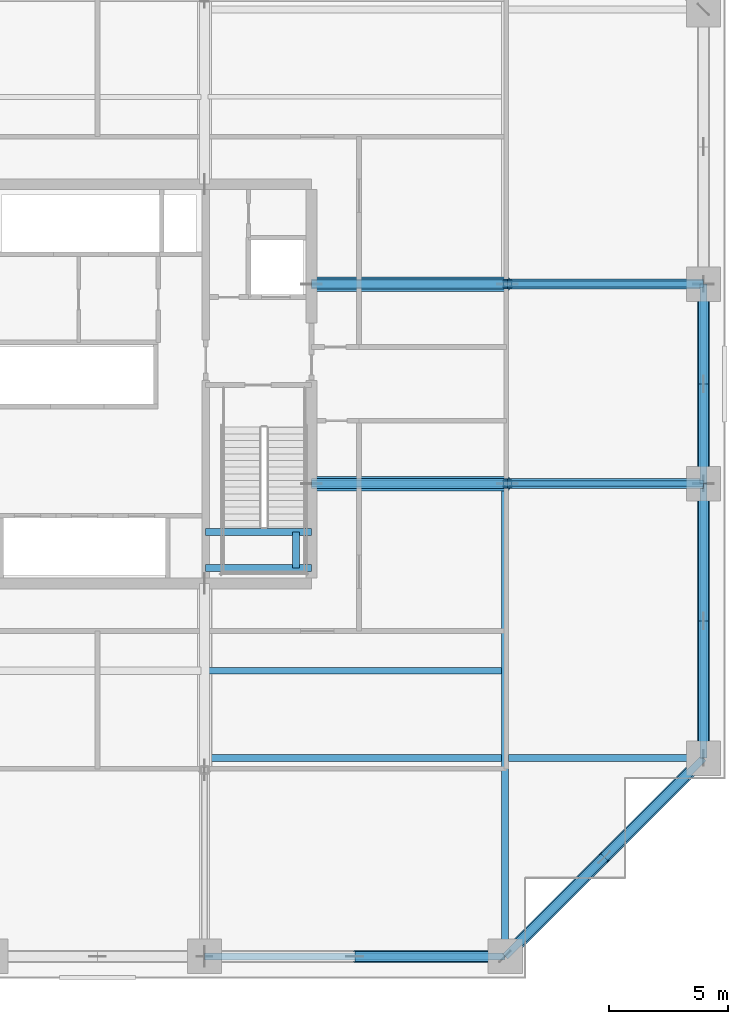
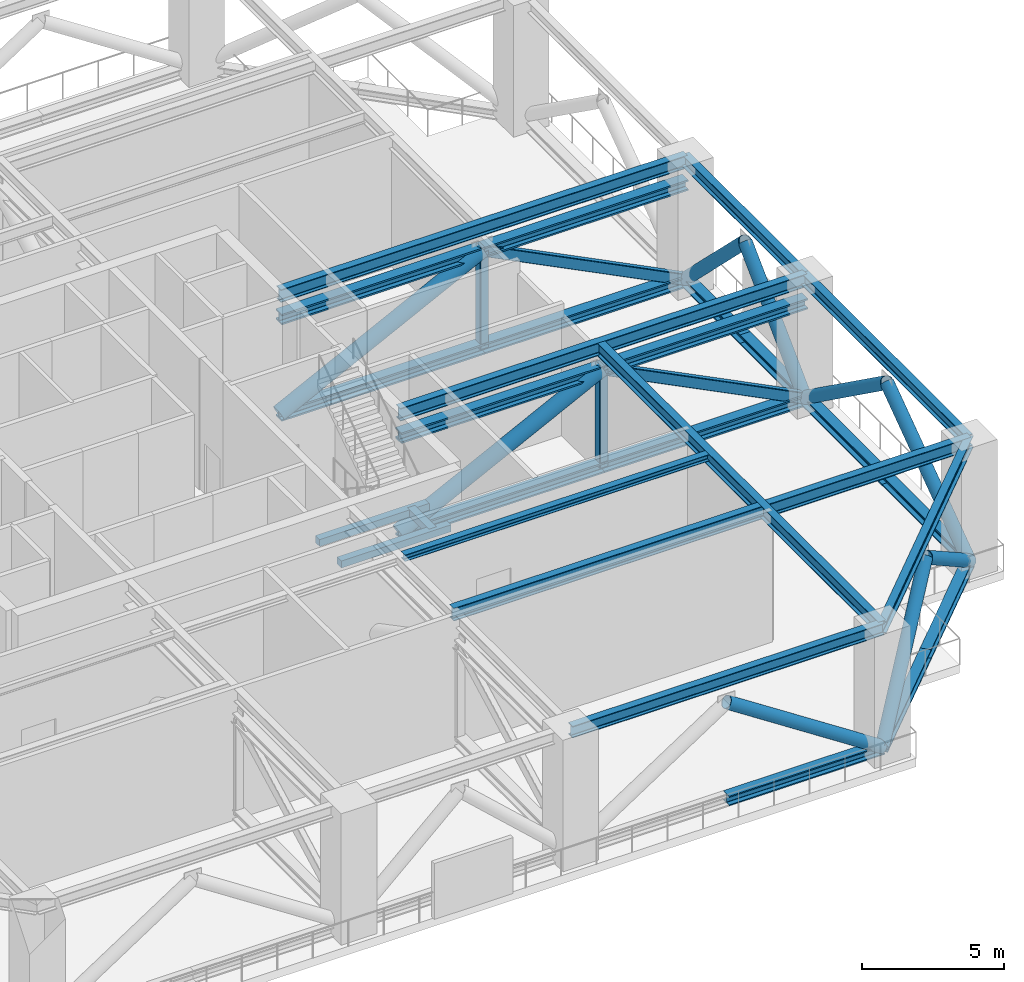
# One storey, part 3 of 21: 28 members, 12 beams.
"""IFC4 building model written with IfcOpenShell, lengths in metres."""

from ifc_helpers import new_model, si_unit, direction, frame, origin, origin_2d, place, context, subcontext, project, spatial, rectangle, hollow_rectangle, hollow_circle, i_section, extrude, source, transform, mapped, material, material_profile, profile_set, type_object, element, save


model = new_model("IFC4")

# Units and contexts
model_context = context("Model", 3, precision=1e-05, world=origin(), true_north=direction((0.0, 1.0)))
body_context = subcontext(model_context, "Body", "Model", "MODEL_VIEW")
ifc_project = project(units=[si_unit("LENGTHUNIT", "METRE"), si_unit("AREAUNIT", "SQUARE_METRE"), si_unit("VOLUMEUNIT", "CUBIC_METRE"), si_unit("PLANEANGLEUNIT", "RADIAN"), si_unit("MASSUNIT", "GRAM", prefix="KILO")], contexts=[model_context])

# Site, building, storey
site_placement = place(None, origin())
site = spatial("IfcSite", under=ifc_project, at=site_placement, CompositionType="ELEMENT")
building_placement = place(site_placement, origin())
building = spatial("IfcBuilding", under=site, at=building_placement, Name="Serunith Strait Residences", CompositionType="ELEMENT")
storey_placement = place(building_placement, frame((0.0, 0.0, 109.199951171875)))
storey = spatial("IfcBuildingStorey", under=building, at=storey_placement, Name="L27", CompositionType="ELEMENT", Elevation=109.199951171875)

# Beams
ifc_material_1 = material(Name="Steel S355J2", Category="steel")
ifc_material_profile_1 = material_profile(ifc_material_1, i_section(OverallWidth=0.300048828125, OverallDepth=0.550048828125, WebThickness=0.014892578125, FlangeThickness=0.029052734375, FilletRadius=0.027099609375, at=origin_2d()), Name="HEB 550")
ifc_profile_set_1 = profile_set([ifc_material_profile_1], Name="Steel S355J2")
beam_type_1 = type_object("IfcBeamType", Name="BM-HEB550", PredefinedType="BEAM", material=ifc_profile_set_1)
shared_shape_1 = source(origin(), body_context, "Body", "SweptSolid", [
    extrude(i_section(OverallWidth=0.300048828125, OverallDepth=0.550048828125, WebThickness=0.014892578125, FlangeThickness=0.029052734375, FilletRadius=0.027099609375, at=origin_2d()), origin(), (0.0, 0.0, 1.0), 16.5),
])
for number, where, z_axis, x_axis, name in (
    (1, (41.39990234375, 21.0, 5.362060546875), (1.0, 0.0, 0.0), (0.0, 1.0, 0.0), "L27 Primary Floor Girder TC-E2"),
    (2, (41.39990234375, 29.39990234375, 5.362060546875), (1.0, 0.0, 0.0), (0.0, 1.0, 0.0), "L27 Primary Floor Girder TC-E3"),
):
    element("IfcBeam", number, at=place(storey_placement, frame(where, z_axis=z_axis, x_axis=x_axis)), inside=storey, type_object=beam_type_1, Name=name, PredefinedType="BEAM", context=body_context, shape_type="MappedRepresentation", body=[
        mapped(shared_shape_1, transform((0.0, 0.0, 0.0), scale=1.0)),
    ])
shared_shape_2 = source(origin(), body_context, "Body", "SweptSolid", [
    extrude(i_section(OverallWidth=0.300048828125, OverallDepth=0.550048828125, WebThickness=0.014892578125, FlangeThickness=0.029052734375, FilletRadius=0.027099609375, at=origin_2d()), origin(), (0.0, 0.0, 1.0), 19.89990234375),
])
beam_1_placement = place(storey_placement, frame((49.550048828125, 21.0, 5.362060546875), z_axis=(0.0, -1.0, 0.0), x_axis=(1.0, 0.0, 0.0)))
element("IfcBeam", 3, at=beam_1_placement, inside=storey, type_object=beam_type_1, Name="L27 Orthogonal Corner Girder TC-S4", PredefinedType="BEAM", context=body_context, shape_type="MappedRepresentation", body=[
    mapped(shared_shape_2, transform((0.0, 0.0, 0.0), scale=1.0)),
])
shared_shape_3 = source(origin(), body_context, "Body", "SweptSolid", [
    extrude(i_section(OverallWidth=0.300048828125, OverallDepth=0.550048828125, WebThickness=0.014892578125, FlangeThickness=0.029052734375, FilletRadius=0.027099609375, at=origin_2d()), origin(), (0.0, 0.0, 1.0), 21.0),
])
beam_2_placement = place(storey_placement, frame((36.89990234375, 9.449951171875, 5.362060546875), z_axis=(1.0, 0.0, 0.0), x_axis=(0.0, 1.0, 0.0)))
element("IfcBeam", 4, at=beam_2_placement, inside=storey, type_object=beam_type_1, Name="L27 Orthogonal Corner Girder TC-E1", PredefinedType="BEAM", context=body_context, shape_type="MappedRepresentation", body=[
    mapped(shared_shape_3, transform((0.0, 0.0, 0.0), scale=1.0)),
])
ifc_material_profile_2 = material_profile(ifc_material_1, i_section(OverallWidth=0.300048828125, OverallDepth=0.5, WebThickness=0.014404296875, FlangeThickness=0.028076171875, FilletRadius=0.027099609375, at=origin_2d()), Name="HEB 500")
ifc_profile_set_2 = profile_set([ifc_material_profile_2], Name="Steel S355J2")
beam_type_2 = type_object("IfcBeamType", Name="BM-HEB500", PredefinedType="BEAM", material=ifc_profile_set_2)
shared_shape_4 = source(origin(), body_context, "Body", "SweptSolid", [
    extrude(i_section(OverallWidth=0.300048828125, OverallDepth=0.5, WebThickness=0.014404296875, FlangeThickness=0.028076171875, FilletRadius=0.027099609375, at=origin_2d()), origin(), (0.0, 0.0, 1.0), 12.650146484375),
])
beam_3_placement = place(storey_placement, frame((36.89990234375, 1.10009765625, 5.386962890625), z_axis=(1.0, 0.0, 0.0), x_axis=(0.0, 1.0, 0.0)))
element("IfcBeam", 5, at=beam_3_placement, inside=storey, type_object=beam_type_2, Name="L27 Perimeter Ring Beam 03", PredefinedType="BEAM", context=body_context, shape_type="MappedRepresentation", body=[
    mapped(shared_shape_4, transform((0.0, 0.0, 0.0), scale=1.0)),
])
shared_shape_5 = source(origin(), body_context, "Body", "SweptSolid", [
    extrude(i_section(OverallWidth=0.300048828125, OverallDepth=0.5, WebThickness=0.014404296875, FlangeThickness=0.028076171875, FilletRadius=0.027099609375, at=origin_2d()), origin(), (0.0, 0.0, 1.0), 11.80859375),
])
beam_4_placement = place(storey_placement, frame((49.550048828125, 1.10009765625, 5.386962890625), z_axis=(0.707106781187, 0.707106781187, 0.0), x_axis=(-0.707106781187, 0.707106781187, 0.0)))
element("IfcBeam", 6, at=beam_4_placement, inside=storey, type_object=beam_type_2, Name="L27 Perimeter Ring Beam 04", PredefinedType="BEAM", context=body_context, shape_type="MappedRepresentation", body=[
    mapped(shared_shape_5, transform((0.0, 0.0, 0.0), scale=1.0)),
])
shared_shape_6 = source(origin(), body_context, "Body", "SweptSolid", [
    extrude(i_section(OverallWidth=0.300048828125, OverallDepth=0.5, WebThickness=0.014404296875, FlangeThickness=0.028076171875, FilletRadius=0.027099609375, at=origin_2d()), origin(), (0.0, 0.0, 1.0), 11.550048828125),
])
beam_5_placement = place(storey_placement, frame((57.89990234375, 9.449951171875, 5.386962890625), z_axis=(0.0, 1.0, 0.0), x_axis=(-1.0, 0.0, 0.0)))
element("IfcBeam", 7, at=beam_5_placement, inside=storey, type_object=beam_type_2, Name="L27 Perimeter Ring Beam 05", PredefinedType="BEAM", context=body_context, shape_type="MappedRepresentation", body=[
    mapped(shared_shape_6, transform((0.0, 0.0, 0.0), scale=1.0)),
])
shared_shape_7 = source(origin(), body_context, "Body", "SweptSolid", [
    extrude(i_section(OverallWidth=0.300048828125, OverallDepth=0.5, WebThickness=0.014404296875, FlangeThickness=0.028076171875, FilletRadius=0.027099609375, at=origin_2d()), origin(), (0.0, 0.0, 1.0), 8.39990234375),
])
beam_6_placement = place(storey_placement, frame((57.89990234375, 21.0, 5.386962890625), z_axis=(0.0, 1.0, 0.0), x_axis=(-1.0, 0.0, 0.0)))
element("IfcBeam", 8, at=beam_6_placement, inside=storey, type_object=beam_type_2, Name="L27 Perimeter Ring Beam 06", PredefinedType="BEAM", context=body_context, shape_type="MappedRepresentation", body=[
    mapped(shared_shape_7, transform((0.0, 0.0, 0.0), scale=1.0)),
])
ifc_material_profile_3 = material_profile(ifc_material_1, i_section(OverallWidth=0.280029296875, OverallDepth=0.280029296875, WebThickness=0.010498046875, FlangeThickness=0.01806640625, FilletRadius=0.02392578125, at=origin_2d()), Name="HEB 280")
ifc_profile_set_3 = profile_set([ifc_material_profile_3], Name="Steel S355J2")
beam_type_3 = type_object("IfcBeamType", Name="BM-HEB280", PredefinedType="JOIST", material=ifc_profile_set_3)
shared_shape_8 = source(origin(), body_context, "Body", "SweptSolid", [
    extrude(i_section(OverallWidth=0.280029296875, OverallDepth=0.280029296875, WebThickness=0.010498046875, FlangeThickness=0.01806640625, FilletRadius=0.02392578125, at=origin_2d()), origin(), (0.0, 0.0, 1.0), 12.349853515625),
])
beam_7_placement = place(storey_placement, frame((37.050048828125, 13.125, 5.4970703125), z_axis=(1.0, 0.0, 0.0), x_axis=(0.0, 1.0, 0.0)))
element("IfcBeam", 9, at=beam_7_placement, inside=storey, type_object=beam_type_3, Name="L27 Composite Floor Joist 03", PredefinedType="JOIST", context=body_context, shape_type="MappedRepresentation", body=[
    mapped(shared_shape_8, transform((0.0, 0.0, 0.0), scale=1.0)),
])

# Members
ifc_material_2 = material(Name="Steel S460M", Category="steel")
ifc_material_profile_4 = material_profile(ifc_material_2, hollow_rectangle(XDim=0.35009765625, YDim=0.35009765625, WallThickness=0.01611328125, InnerFilletRadius=0.02392578125, OuterFilletRadius=0.0400390625, at=origin_2d()), Name="SHS 350x350x16")
ifc_profile_set_4 = profile_set([ifc_material_profile_4], Name="Steel S460M")
member_type_1 = type_object("IfcMemberType", Name="MBR-STRUT-SHS350", PredefinedType="STRUT", material=ifc_profile_set_4)
shared_shape_9 = source(origin(), body_context, "Body", "SweptSolid", [
    extrude(hollow_rectangle(XDim=0.35009765625, YDim=0.35009765625, WallThickness=0.01611328125, InnerFilletRadius=0.02392578125, OuterFilletRadius=0.0400390625, at=origin_2d()), origin(), (0.0, 0.0, 1.0), 4.14013671875),
])
for number, where, z_axis, x_axis, name in (
    (10, (49.64990234375, 21.0, 0.25), (0.0, 0.0, 1.0), (1.0, 0.0, 0.0), "L27 Outrigger Arm 5 Mid Post"),
    (11, (49.64990234375, 29.39990234375, 0.25), (0.0, 0.0, 1.0), (1.0, 0.0, 0.0), "L27 Outrigger Arm 6 Mid Post"),
):
    element("IfcMember", number, at=place(storey_placement, frame(where, z_axis=z_axis, x_axis=x_axis)), inside=storey, type_object=member_type_1, Name=name, PredefinedType="STRUT", context=body_context, shape_type="MappedRepresentation", body=[
        mapped(shared_shape_9, transform((0.0, 0.0, 0.0), scale=1.0)),
    ])
ifc_material_profile_5 = material_profile(ifc_material_2, i_section(OverallWidth=0.41796875, OverallDepth=0.455078125, WebThickness=0.0419921875, FlangeThickness=0.067626953125, FilletRadius=0.014892578125, at=origin_2d()), Name="HD 400x551")
ifc_profile_set_5 = profile_set([ifc_material_profile_5], Name="Steel S460M")
member_type_2 = type_object("IfcMemberType", Name="MBR-CHORD-HD551", PredefinedType="CHORD", material=ifc_profile_set_5)
shared_shape_10 = source(origin(), body_context, "Body", "SweptSolid", [
    extrude(i_section(OverallWidth=0.41796875, OverallDepth=0.455078125, WebThickness=0.0419921875, FlangeThickness=0.067626953125, FilletRadius=0.014892578125, at=origin_2d()), origin(), (0.0, 0.0, 1.0), 8.25),
])
for number, where, z_axis, x_axis, name in (
    (12, (41.39990234375, 21.0, 0.25), (1.0, 0.0, 0.0), (0.0, 1.0, 0.0), "L27 Outrigger Arm 5 Bottom Chord 1"),
    (13, (41.39990234375, 21.0, 4.39013671875), (1.0, 0.0, 0.0), (0.0, 1.0, 0.0), "L27 Outrigger Arm 5 Top Chord 1"),
    (14, (49.64990234375, 21.0, 0.25), (1.0, 0.0, 0.0), (0.0, 1.0, 0.0), "L27 Outrigger Arm 5 Bottom Chord 2"),
    (15, (49.64990234375, 21.0, 4.39013671875), (1.0, 0.0, 0.0), (0.0, 1.0, 0.0), "L27 Outrigger Arm 5 Top Chord 2"),
    (16, (41.39990234375, 29.39990234375, 0.25), (1.0, 0.0, 0.0), (0.0, 1.0, 0.0), "L27 Outrigger Arm 6 Bottom Chord 1"),
    (17, (41.39990234375, 29.39990234375, 4.39013671875), (1.0, 0.0, 0.0), (0.0, 1.0, 0.0), "L27 Outrigger Arm 6 Top Chord 1"),
    (18, (49.64990234375, 29.39990234375, 0.25), (1.0, 0.0, 0.0), (0.0, 1.0, 0.0), "L27 Outrigger Arm 6 Bottom Chord 2"),
    (19, (49.64990234375, 29.39990234375, 4.39013671875), (1.0, 0.0, 0.0), (0.0, 1.0, 0.0), "L27 Outrigger Arm 6 Top Chord 2"),
):
    element("IfcMember", number, at=place(storey_placement, frame(where, z_axis=z_axis, x_axis=x_axis)), inside=storey, type_object=member_type_2, Name=name, PredefinedType="CHORD", context=body_context, shape_type="MappedRepresentation", body=[
        mapped(shared_shape_10, transform((0.0, 0.0, 0.0), scale=1.0)),
    ])
ifc_material_profile_6 = material_profile(ifc_material_2, hollow_circle(Radius=0.304931640625, WallThickness=0.02490234375, at=origin_2d()), Name="CHS 610x25")
ifc_profile_set_6 = profile_set([ifc_material_profile_6], Name="Steel S460M")
member_type_3 = type_object("IfcMemberType", Name="MBR-DIAG-CHS610", PredefinedType="BRACE", material=ifc_profile_set_6)
shared_shape_11 = source(origin(), body_context, "Body", "SweptSolid", [
    extrude(hollow_circle(Radius=0.304931640625, WallThickness=0.02490234375, at=origin_2d()), origin(), (0.0, 0.0, 1.0), 9.23046875),
])
for number, where, z_axis, x_axis, name in (
    (20, (41.39990234375, 21.0, 0.25), (0.893770289547, 0.0, 0.448524993198), (0.0, 1.0, 0.0), "L27 Outrigger Arm 5 Inner Diagonal"),
    (21, (41.39990234375, 29.39990234375, 0.25), (0.893770289547, 0.0, 0.448524993198), (0.0, 1.0, 0.0), "L27 Outrigger Arm 6 Inner Diagonal"),
):
    element("IfcMember", number, at=place(storey_placement, frame(where, z_axis=z_axis, x_axis=x_axis)), inside=storey, type_object=member_type_3, Name=name, PredefinedType="BRACE", context=body_context, shape_type="MappedRepresentation", body=[
        mapped(shared_shape_11, transform((0.0, 0.0, 0.0), scale=1.0)),
    ])
ifc_material_profile_7 = material_profile(ifc_material_2, hollow_rectangle(XDim=0.25, YDim=0.449951171875, WallThickness=0.01611328125, InnerFilletRadius=0.02392578125, OuterFilletRadius=0.0400390625, at=origin_2d()), Name="RHS 450x250x16")
ifc_profile_set_7 = profile_set([ifc_material_profile_7], Name="Steel S460M")
member_type_4 = type_object("IfcMemberType", Name="MBR-BRACE-RHS450", PredefinedType="BRACE", material=ifc_profile_set_7)
shared_shape_12 = source(origin(), body_context, "Body", "SweptSolid", [
    extrude(hollow_rectangle(XDim=0.25, YDim=0.449951171875, WallThickness=0.01611328125, InnerFilletRadius=0.02392578125, OuterFilletRadius=0.0400390625, at=origin_2d()), origin(), (0.0, 0.0, 1.0), 9.23046875),
])
for number, where, z_axis, x_axis, name in (
    (22, (49.64990234375, 21.0, 4.39013671875), (0.893770289547, 0.0, -0.448524993198), (0.0, 1.0, 0.0), "L27 Outrigger Arm 5 Outer Diagonal"),
    (23, (49.64990234375, 29.39990234375, 4.39013671875), (0.893770289547, 0.0, -0.448524993198), (0.0, 1.0, 0.0), "L27 Outrigger Arm 6 Outer Diagonal"),
):
    element("IfcMember", number, at=place(storey_placement, frame(where, z_axis=z_axis, x_axis=x_axis)), inside=storey, type_object=member_type_4, Name=name, PredefinedType="BRACE", context=body_context, shape_type="MappedRepresentation", body=[
        mapped(shared_shape_12, transform((0.0, 0.0, 0.0), scale=1.0)),
    ])
ifc_material_profile_8 = material_profile(ifc_material_2, i_section(OverallWidth=0.406005859375, OverallDepth=0.416015625, WebThickness=0.02978515625, FlangeThickness=0.048095703125, FilletRadius=0.014892578125, at=origin_2d()), Name="HD 400x382")
ifc_profile_set_8 = profile_set([ifc_material_profile_8], Name="Steel S460M")
member_type_5 = type_object("IfcMemberType", Name="MBR-CHORD-HD382", PredefinedType="CHORD", material=ifc_profile_set_8)
shared_shape_13 = source(origin(), body_context, "Body", "SweptSolid", [
    extrude(i_section(OverallWidth=0.406005859375, OverallDepth=0.416015625, WebThickness=0.02978515625, FlangeThickness=0.048095703125, FilletRadius=0.014892578125, at=origin_2d()), origin(), (0.0, 0.0, 1.0), 6.324951171875),
])
member_1_placement = place(storey_placement, frame((43.22509765625, 1.10009765625, 0.25), z_axis=(1.0, 0.0, 0.0), x_axis=(0.0, 1.0, 0.0)))
element("IfcMember", 24, at=member_1_placement, inside=storey, type_object=member_type_5, Name="L27 Belt Truss Bay 03 Chord B", PredefinedType="CHORD", context=body_context, shape_type="MappedRepresentation", body=[
    mapped(shared_shape_13, transform((0.0, 0.0, 0.0), scale=1.0)),
])
ifc_material_profile_9 = material_profile(ifc_material_2, hollow_circle(Radius=0.25390625, WallThickness=0.02001953125, at=origin_2d()), Name="CHS 508x20")
ifc_profile_set_9 = profile_set([ifc_material_profile_9], Name="Steel S460M")
member_type_6 = type_object("IfcMemberType", Name="MBR-DIAG-CHS508", PredefinedType="BRACE", material=ifc_profile_set_9)
shared_shape_14 = source(origin(), body_context, "Body", "SweptSolid", [
    extrude(hollow_circle(Radius=0.25390625, WallThickness=0.02001953125, at=origin_2d()), origin(), (0.0, 0.0, 1.0), 7.5595703125),
])
member_2_placement = place(storey_placement, frame((49.550048828125, 1.10009765625, 0.25), z_axis=(-0.836691292063, 0.0, 0.547674795646), x_axis=(0.0, -1.0, 0.0)))
element("IfcMember", 25, at=member_2_placement, inside=storey, type_object=member_type_6, Name="L27 Belt Truss Bay 03 Diagonal 2", PredefinedType="BRACE", context=body_context, shape_type="MappedRepresentation", body=[
    mapped(shared_shape_14, transform((0.0, 0.0, 0.0), scale=1.0)),
])
shared_shape_15 = source(origin(), body_context, "Body", "SweptSolid", [
    extrude(i_section(OverallWidth=0.406005859375, OverallDepth=0.416015625, WebThickness=0.02978515625, FlangeThickness=0.048095703125, FilletRadius=0.014892578125, at=origin_2d()), origin(), (0.0, 0.0, 1.0), 5.904296875),
])
for number, where, z_axis, x_axis, name in (
    (26, (49.550048828125, 1.10009765625, 0.25), (0.707127455917, 0.707086105852, 0.0), (-0.707086105852, 0.707127455917, 0.0), "L27 Belt Truss Bay 04 Chord A"),
    (27, (53.72509765625, 5.27490234375, 0.25), (0.707086105852, 0.707127455917, 0.0), (-0.707127455917, 0.707086105852, 0.0), "L27 Belt Truss Bay 04 Chord B"),
):
    element("IfcMember", number, at=place(storey_placement, frame(where, z_axis=z_axis, x_axis=x_axis)), inside=storey, type_object=member_type_5, Name=name, PredefinedType="CHORD", context=body_context, shape_type="MappedRepresentation", body=[
        mapped(shared_shape_15, transform((0.0, 0.0, 0.0), scale=1.0)),
    ])
shared_shape_16 = source(origin(), body_context, "Body", "SweptSolid", [
    extrude(hollow_circle(Radius=0.25390625, WallThickness=0.02001953125, at=origin_2d()), origin(), (0.0, 0.0, 1.0), 7.211181640625),
])
for number, where, z_axis, x_axis, name in (
    (28, (49.550048828125, 1.10009765625, 0.25), (0.578970875995, 0.578937020029, 0.574129472845), (-0.707086105852, 0.707127455917, 0.0), "L27 Belt Truss Bay 04 Diagonal 1"),
    (29, (57.89990234375, 9.449951171875, 0.25), (-0.578937020029, -0.578970875995, 0.574129472845), (0.707127455917, -0.707086105852, 0.0), "L27 Belt Truss Bay 04 Diagonal 2"),
):
    element("IfcMember", number, at=place(storey_placement, frame(where, z_axis=z_axis, x_axis=x_axis)), inside=storey, type_object=member_type_6, Name=name, PredefinedType="BRACE", context=body_context, shape_type="MappedRepresentation", body=[
        mapped(shared_shape_16, transform((0.0, 0.0, 0.0), scale=1.0)),
    ])
shared_shape_17 = source(origin(), body_context, "Body", "SweptSolid", [
    extrude(i_section(OverallWidth=0.406005859375, OverallDepth=0.416015625, WebThickness=0.02978515625, FlangeThickness=0.048095703125, FilletRadius=0.014892578125, at=origin_2d()), origin(), (0.0, 0.0, 1.0), 5.775146484375),
])
member_3_placement = place(storey_placement, frame((57.89990234375, 9.449951171875, 0.25), z_axis=(0.0, 1.0, 0.0), x_axis=(-1.0, 0.0, 0.0)))
element("IfcMember", 30, at=member_3_placement, inside=storey, type_object=member_type_5, Name="L27 Belt Truss Bay 05 Chord A", PredefinedType="CHORD", context=body_context, shape_type="MappedRepresentation", body=[
    mapped(shared_shape_17, transform((0.0, 0.0, 0.0), scale=1.0)),
])
shared_shape_18 = source(origin(), body_context, "Body", "SweptSolid", [
    extrude(i_section(OverallWidth=0.406005859375, OverallDepth=0.416015625, WebThickness=0.02978515625, FlangeThickness=0.048095703125, FilletRadius=0.014892578125, at=origin_2d()), origin(), (0.0, 0.0, 1.0), 5.77490234375),
])
member_4_placement = place(storey_placement, frame((57.89990234375, 15.22509765625, 0.25), z_axis=(0.0, 1.0, 0.0), x_axis=(-1.0, 0.0, 0.0)))
element("IfcMember", 31, at=member_4_placement, inside=storey, type_object=member_type_5, Name="L27 Belt Truss Bay 05 Chord B", PredefinedType="CHORD", context=body_context, shape_type="MappedRepresentation", body=[
    mapped(shared_shape_18, transform((0.0, 0.0, 0.0), scale=1.0)),
])
shared_shape_19 = source(origin(), body_context, "Body", "SweptSolid", [
    extrude(hollow_circle(Radius=0.25390625, WallThickness=0.02001953125, at=origin_2d()), origin(), (0.0, 0.0, 1.0), 7.10595703125),
])
member_5_placement = place(storey_placement, frame((57.89990234375, 9.449951171875, 0.25), z_axis=(0.0, 0.812731713217, 0.582638105801), x_axis=(-1.0, 0.0, 0.0)))
element("IfcMember", 32, at=member_5_placement, inside=storey, type_object=member_type_6, Name="L27 Belt Truss Bay 05 Diagonal 1", PredefinedType="BRACE", context=body_context, shape_type="MappedRepresentation", body=[
    mapped(shared_shape_19, transform((0.0, 0.0, 0.0), scale=1.0)),
])
shared_shape_20 = source(origin(), body_context, "Body", "SweptSolid", [
    extrude(hollow_circle(Radius=0.25390625, WallThickness=0.02001953125, at=origin_2d()), origin(), (0.0, 0.0, 1.0), 7.105712890625),
])
member_6_placement = place(storey_placement, frame((57.89990234375, 21.0, 0.25), z_axis=(0.0, -0.812720049413, 0.582654375494), x_axis=(1.0, 0.0, 0.0)))
element("IfcMember", 33, at=member_6_placement, inside=storey, type_object=member_type_6, Name="L27 Belt Truss Bay 05 Diagonal 2", PredefinedType="BRACE", context=body_context, shape_type="MappedRepresentation", body=[
    mapped(shared_shape_20, transform((0.0, 0.0, 0.0), scale=1.0)),
])
shared_shape_21 = source(origin(), body_context, "Body", "SweptSolid", [
    extrude(i_section(OverallWidth=0.406005859375, OverallDepth=0.416015625, WebThickness=0.02978515625, FlangeThickness=0.048095703125, FilletRadius=0.014892578125, at=origin_2d()), origin(), (0.0, 0.0, 1.0), 4.199951171875),
])
for number, where, z_axis, x_axis, name in (
    (34, (57.89990234375, 21.0, 0.25), (0.0, 1.0, 0.0), (-1.0, 0.0, 0.0), "L27 Belt Truss Bay 06 Chord A"),
    (35, (57.89990234375, 25.199951171875, 0.25), (0.0, 1.0, 0.0), (-1.0, 0.0, 0.0), "L27 Belt Truss Bay 06 Chord B"),
):
    element("IfcMember", number, at=place(storey_placement, frame(where, z_axis=z_axis, x_axis=x_axis)), inside=storey, type_object=member_type_5, Name=name, PredefinedType="CHORD", context=body_context, shape_type="MappedRepresentation", body=[
        mapped(shared_shape_21, transform((0.0, 0.0, 0.0), scale=1.0)),
    ])
shared_shape_22 = source(origin(), body_context, "Body", "SweptSolid", [
    extrude(hollow_circle(Radius=0.25390625, WallThickness=0.02001953125, at=origin_2d()), origin(), (0.0, 0.0, 1.0), 5.8974609375),
])
for number, where, z_axis, x_axis, name in (
    (36, (57.89990234375, 21.0, 0.25), (0.0, 0.712159780048, 0.702017412663), (-1.0, 0.0, 0.0), "L27 Belt Truss Bay 06 Diagonal 1"),
    (37, (57.89990234375, 29.39990234375, 0.25), (0.0, -0.712159780048, 0.702017412663), (1.0, 0.0, 0.0), "L27 Belt Truss Bay 06 Diagonal 2"),
):
    element("IfcMember", number, at=place(storey_placement, frame(where, z_axis=z_axis, x_axis=x_axis)), inside=storey, type_object=member_type_6, Name=name, PredefinedType="BRACE", context=body_context, shape_type="MappedRepresentation", body=[
        mapped(shared_shape_22, transform((0.0, 0.0, 0.0), scale=1.0)),
    ])

# Beams
ifc_material_3 = material(Name="Concrete C60/75", Category="concrete")
ifc_material_profile_10 = material_profile(ifc_material_3, rectangle(XDim=0.300048828125, YDim=0.300048828125, at=origin_2d()), Name="RC 300x300")
ifc_profile_set_10 = profile_set([ifc_material_profile_10], Name="Concrete C60/75")
beam_type_4 = type_object("IfcBeamType", Name="BM-LAND-300x300", PredefinedType="BEAM", material=ifc_profile_set_10)
shared_shape_23 = source(origin(), body_context, "Body", "SweptSolid", [
    extrude(rectangle(XDim=0.300048828125, YDim=0.300048828125, at=origin_2d()), origin(), (0.0, 0.0, 1.0), 1.52001953125),
])
beam_8_placement = place(storey_placement, frame((40.75, 17.449951171875, 2.650146484375), z_axis=(0.0, 1.0, 0.0), x_axis=(-1.0, 0.0, 0.0)))
element("IfcBeam", 38, at=beam_8_placement, inside=storey, type_object=beam_type_4, Name="L27 ST-2 Landing Transverse Tie Beam", PredefinedType="BEAM", context=body_context, shape_type="MappedRepresentation", body=[
    mapped(shared_shape_23, transform((0.0, 0.0, 0.0), scale=1.0)),
])
shared_shape_24 = source(origin(), body_context, "Body", "SweptSolid", [
    extrude(rectangle(XDim=0.300048828125, YDim=0.300048828125, at=origin_2d()), origin(), (0.0, 0.0, 1.0), 4.449951171875),
])
for number, where, z_axis, x_axis, name in (
    (39, (36.949951171875, 17.449951171875, 2.650146484375), (1.0, 0.0, 0.0), (0.0, 1.0, 0.0), "L27 ST-2 Landing Support Beam 1"),
    (40, (36.949951171875, 18.969970703125, 2.650146484375), (1.0, 0.0, 0.0), (0.0, 1.0, 0.0), "L27 ST-2 Landing Support Beam 2"),
):
    element("IfcBeam", number, at=place(storey_placement, frame(where, z_axis=z_axis, x_axis=x_axis)), inside=storey, type_object=beam_type_4, Name=name, PredefinedType="BEAM", context=body_context, shape_type="MappedRepresentation", body=[
        mapped(shared_shape_24, transform((0.0, 0.0, 0.0), scale=1.0)),
    ])

save(model, "model.ifc")
